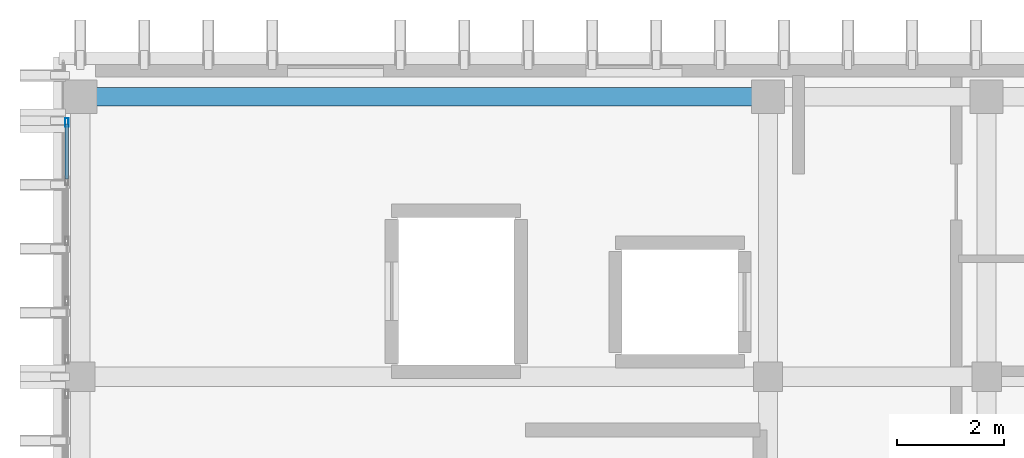
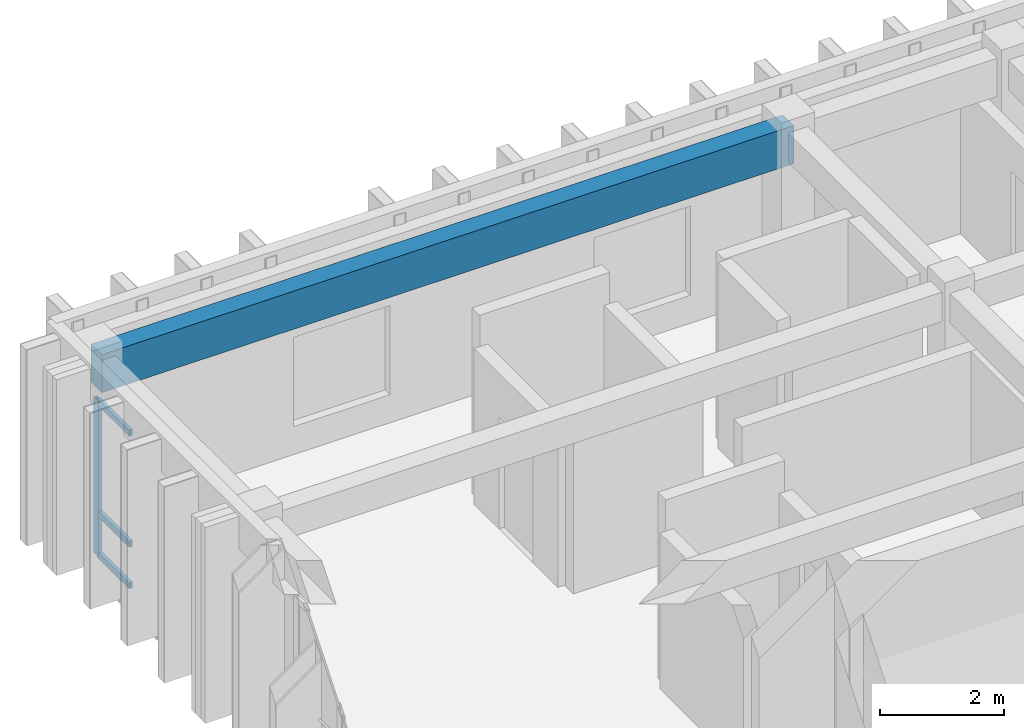
# One storey, part 36 of 50: 4 members, 1 beam, 1 element without a shape of its own.
"""IFC4 building model written with IfcOpenShell, lengths in metres."""

from ifc_helpers import new_model, si_unit, direction, frame, origin, origin_2d, place, context, subcontext, project, spatial, rectangle, hollow_rectangle, extrude, material, layer, layer_set, material_profile, profile_set, type_object, element, aggregate, save


model = new_model("IFC4")

# Units and contexts
model_context = context("Model", 3, precision=1e-05, world=origin(), true_north=direction((0.0, 1.0)))
body_context = subcontext(model_context, "Body", "Model", "MODEL_VIEW")
ifc_project = project(units=[si_unit("LENGTHUNIT", "METRE"), si_unit("AREAUNIT", "SQUARE_METRE"), si_unit("VOLUMEUNIT", "CUBIC_METRE"), si_unit("PLANEANGLEUNIT", "RADIAN"), si_unit("MASSUNIT", "GRAM", prefix="KILO")], contexts=[model_context])

# Site, building, storey
site_placement = place(None, origin())
site = spatial("IfcSite", under=ifc_project, at=site_placement, CompositionType="ELEMENT")
building_placement = place(site_placement, origin())
building = spatial("IfcBuilding", under=site, at=building_placement, Name="Nakhvara Creek Congress Hotel", CompositionType="ELEMENT")
storey_placement = place(building_placement, frame((0.0, 0.0, 42.60009765625)))
storey = spatial("IfcBuildingStorey", under=building, at=storey_placement, Name="L10", CompositionType="ELEMENT", Elevation=42.60009765625)

# Beam
ifc_material_1 = material(Name="Concrete C40/50", Category="concrete")
ifc_material_profile_1 = material_profile(ifc_material_1, rectangle(XDim=0.35009765625, YDim=0.75, at=origin_2d()), Name="RC-SPANDREL 350x750", Category="LoadBearing")
ifc_profile_set_1 = profile_set([ifc_material_profile_1], Name="Concrete C40/50")
beam_type = type_object("IfcBeamType", Name="BM-SPN-350X750", PredefinedType="SPANDREL", material=ifc_profile_set_1)
beam_placement = place(storey_placement, frame((149.449951171875, 125.25, 3.284912109375), z_axis=(1.0, 0.0, 0.0), x_axis=(0.0, 1.0, 0.0)))
element("IfcBeam", 1, at=beam_placement, inside=storey, type_object=beam_type, Name="Beam SP1-L10-2646", PredefinedType="SPANDREL", context=body_context, shape_type="SweptSolid", body=[
    extrude(rectangle(XDim=0.35009765625, YDim=0.75, at=origin_2d()), origin(), (0.0, 0.0, 1.0), 12.900146484375),
])

# Curtain wall, members
ifc_material_2 = material(Name="Bronze-anodised aluminium AW-6063-T6 and double-silver low-E glass", Category="aluminium")
ifc_layer = layer(ifc_material_2, 0.199951171875)
ifc_layer_set = layer_set([ifc_layer], Name="Bronze-anodised aluminium AW-6063-T6 and double-silver low-E glass")
curtain_wall_type = type_object("IfcCurtainWallType", Name="CW-HTL-UNIT", PredefinedType="USERDEFINED", material=ifc_layer_set)
curtain_wall_placement = place(storey_placement, origin())
curtain_wall = element("IfcCurtainWall", 2, at=curtain_wall_placement, inside=storey, type_object=curtain_wall_type, Name="Curtain Wall CW331", ObjectType="UNITISED", PredefinedType="USERDEFINED")
ifc_material_3 = material(Name="Bronze-anodised aluminium AW-6063-T6", Category="aluminium")
ifc_material_profile_2 = material_profile(ifc_material_3, hollow_rectangle(XDim=0.06494140625, YDim=0.159912109375, WallThickness=0.00390625, at=origin_2d()), Name="ALU-MULL 65x160x4", Category="LoadBearing")
ifc_profile_set_2 = profile_set([ifc_material_profile_2], Name="Bronze-anodised aluminium AW-6063-T6")
member_type_1 = type_object("IfcMemberType", Name="CW-MULL-160", PredefinedType="MULLION", material=ifc_profile_set_2)
member_1_placement = place(storey_placement, frame((149.199951171875, 124.767578125, 0.0), z_axis=(0.0, 0.0, 1.0), x_axis=(-1.0, 0.0, 0.0)))
member_1 = element("IfcMember", 3, at=member_1_placement, type_object=member_type_1, Name="CW331 mullion 5", PredefinedType="MULLION", context=body_context, shape_type="SweptSolid", body=[
    extrude(hollow_rectangle(XDim=0.06494140625, YDim=0.159912109375, WallThickness=0.00390625, at=origin_2d()), origin(), (0.0, 0.0, 1.0), 3.072021484375),
])
ifc_material_profile_3 = material_profile(ifc_material_3, hollow_rectangle(XDim=0.06494140625, YDim=0.1201171875, WallThickness=0.00390625, at=origin_2d()), Name="ALU-TRAN 65x120x4", Category="LoadBearing")
ifc_profile_set_3 = profile_set([ifc_material_profile_3], Name="Bronze-anodised aluminium AW-6063-T6")
member_type_2 = type_object("IfcMemberType", Name="CW-TRAN-120", PredefinedType="USERDEFINED", material=ifc_profile_set_3)
member_2_placement = place(storey_placement, frame((149.199951171875, 123.705078125, 0.032470703125), z_axis=(0.0, 1.0, 0.0), x_axis=(-1.0, 0.0, 0.0)))
member_2 = element("IfcMember", 4, at=member_2_placement, type_object=member_type_2, Name="CW331 transom 4.1", ObjectType="TRANSOM", PredefinedType="USERDEFINED", context=body_context, shape_type="SweptSolid", body=[
    extrude(hollow_rectangle(XDim=0.06494140625, YDim=0.1201171875, WallThickness=0.00390625, at=origin_2d()), origin(), (0.0, 0.0, 1.0), 1.030029296875),
])
member_3_placement = place(storey_placement, frame((149.199951171875, 123.705078125, 0.849853515625), z_axis=(0.0, 1.0, 0.0), x_axis=(-1.0, 0.0, 0.0)))
member_3 = element("IfcMember", 5, at=member_3_placement, type_object=member_type_2, Name="CW331 transom 4.2", ObjectType="TRANSOM", PredefinedType="USERDEFINED", context=body_context, shape_type="SweptSolid", body=[
    extrude(hollow_rectangle(XDim=0.06494140625, YDim=0.1201171875, WallThickness=0.00390625, at=origin_2d()), origin(), (0.0, 0.0, 1.0), 1.030029296875),
])
member_4_placement = place(storey_placement, frame((149.199951171875, 123.705078125, 3.039306640625), z_axis=(0.0, 1.0, 0.0), x_axis=(-1.0, 0.0, 0.0)))
member_4 = element("IfcMember", 6, at=member_4_placement, type_object=member_type_2, Name="CW331 transom 4.3", ObjectType="TRANSOM", PredefinedType="USERDEFINED", context=body_context, shape_type="SweptSolid", body=[
    extrude(hollow_rectangle(XDim=0.06494140625, YDim=0.1201171875, WallThickness=0.00390625, at=origin_2d()), origin(), (0.0, 0.0, 1.0), 1.030029296875),
])
aggregate(curtain_wall, [member_1, member_2, member_3, member_4])

save(model, "model.ifc")
